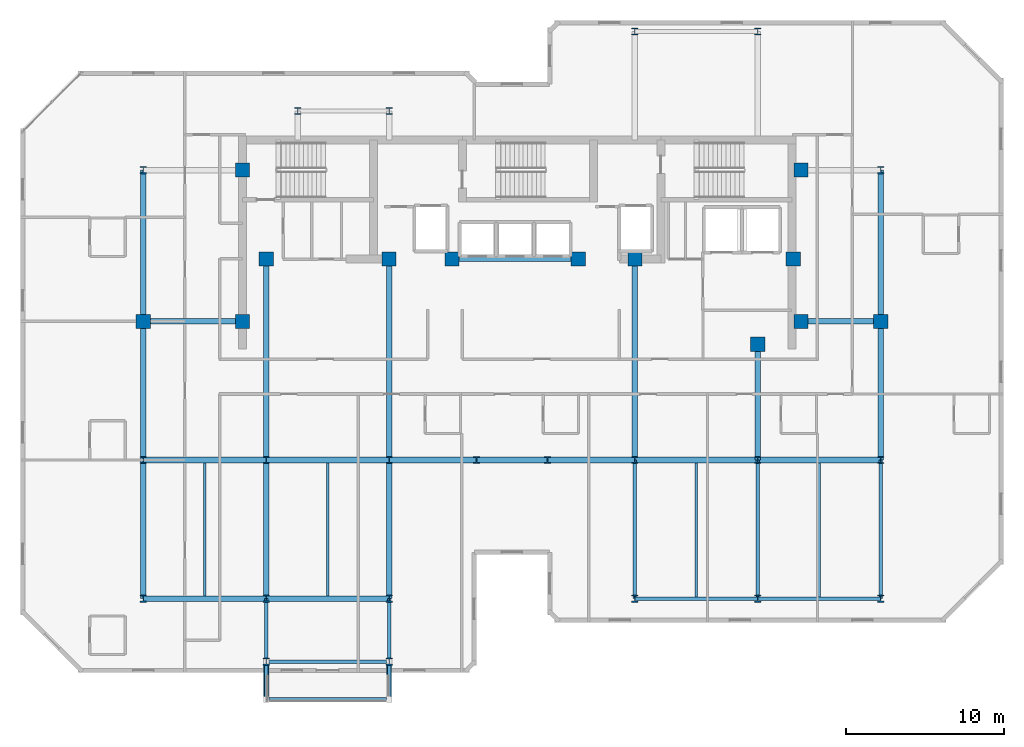
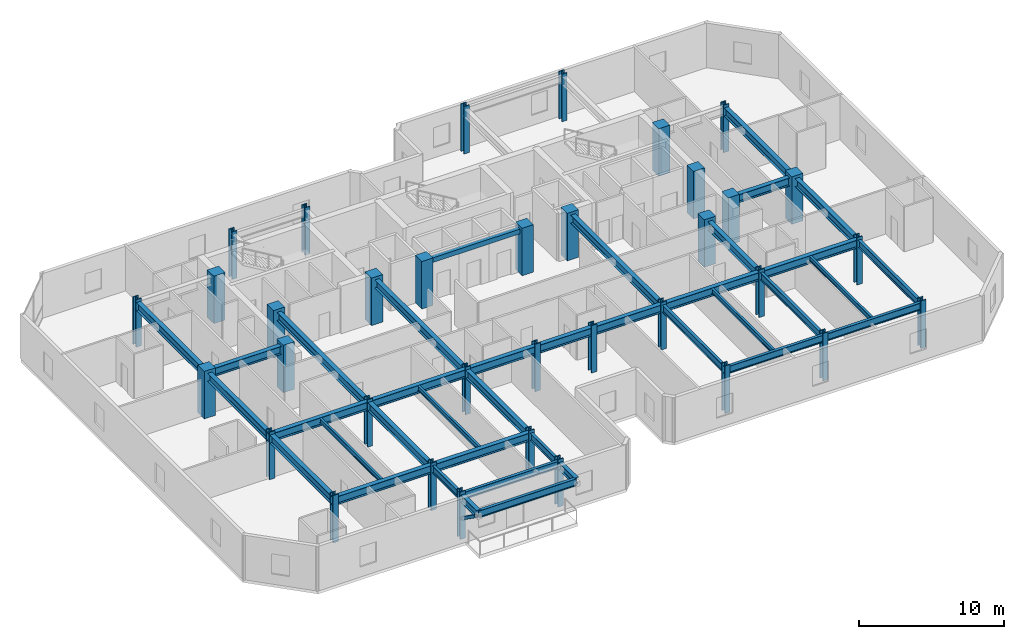
# One storey, part 1 of 10: 38 beams, 35 columns, 2 members.
"""IFC4 building model written with IfcOpenShell, lengths in metres."""

from ifc_helpers import new_model, si_unit, direction, frame, origin, origin_2d, place, context, subcontext, project, spatial, rectangle, hollow_rectangle, i_section, extrude, material, material_profile, profile_set, type_object, element, save


model = new_model("IFC4")

# Units and contexts
model_context = context("Model", 3, precision=1e-05, world=origin(), true_north=direction((0.0, 1.0)))
body_context = subcontext(model_context, "Body", "Model", "MODEL_VIEW")
ifc_project = project(units=[si_unit("LENGTHUNIT", "METRE"), si_unit("AREAUNIT", "SQUARE_METRE"), si_unit("VOLUMEUNIT", "CUBIC_METRE"), si_unit("PLANEANGLEUNIT", "RADIAN"), si_unit("MASSUNIT", "GRAM", prefix="KILO")], contexts=[model_context])

# Site, building, storey
site_placement = place(None, origin())
site = spatial("IfcSite", under=ifc_project, at=site_placement, CompositionType="ELEMENT")
building_placement = place(site_placement, origin())
building = spatial("IfcBuilding", under=site, at=building_placement, Name="Kestravale Grand Hotel", CompositionType="ELEMENT")
storey_placement = place(building_placement, frame((0.0, 0.0, 273.39990234375)))
storey = spatial("IfcBuildingStorey", under=building, at=storey_placement, Name="L68", CompositionType="ELEMENT", Elevation=273.39990234375)

# Columns
ifc_material_1 = material(Name="Concrete f'c 50 MPa", Category="concrete")
ifc_material_profile_1 = material_profile(ifc_material_1, rectangle(XDim=0.89990234375, YDim=0.89990234375, at=origin_2d()))
ifc_profile_set_1 = profile_set([ifc_material_profile_1], Name="Concrete f'c 50 MPa")
column_type_1 = type_object("IfcColumnType", Name="C-Z4-900", PredefinedType="COLUMN", material=ifc_profile_set_1)
for number, where, z_axis, x_axis, name in (
    (1, (15.60009765625, 28.800048828125, 0.0), (0.0, 0.0, 1.0), (1.0, 0.0, 0.0), "L68 column 3-E"),
    (2, (62.39990234375, 28.800048828125, 0.0), (0.0, 0.0, 1.0), (1.0, 0.0, 0.0), "L68 column 10-E"),
    (3, (21.89990234375, 28.800048828125, 0.0), (0.0, 0.0, 1.0), (1.0, 0.0, 0.0), "L68 column CW-E"),
    (4, (21.89990234375, 38.39990234375, 0.0), (0.0, 0.0, 1.0), (1.0, 0.0, 0.0), "L68 column CW-F"),
    (5, (57.35009765625, 28.800048828125, 0.0), (0.0, 0.0, 1.0), (1.0, 0.0, 0.0), "L68 column CE-E"),
    (6, (57.35009765625, 38.39990234375, 0.0), (0.0, 0.0, 1.0), (1.0, 0.0, 0.0), "L68 column CE-F"),
    (7, (23.39990234375, 32.75, 0.0), (0.0, 0.0, 1.0), (1.0, 0.0, 0.0), "L68 column 4-CS"),
    (8, (31.199951171875, 32.75, 0.0), (0.0, 0.0, 1.0), (1.0, 0.0, 0.0), "L68 column 5-CS"),
    (9, (35.199951171875, 32.75, 0.0), (0.0, 0.0, 1.0), (1.0, 0.0, 0.0), "L68 column 6C-CS"),
    (10, (43.199951171875, 32.75, 0.0), (0.0, 0.0, 1.0), (1.0, 0.0, 0.0), "L68 column 7C-CS"),
    (11, (46.800048828125, 32.75, 0.0), (0.0, 0.0, 1.0), (1.0, 0.0, 0.0), "L68 column 8-CS"),
    (12, (54.60009765625, 27.35009765625, 0.0), (0.0, 0.0, 1.0), (1.0, 0.0, 0.0), "L68 column 9-CS"),
    (13, (56.85009765625, 32.75, 0.0), (0.0, 0.0, 1.0), (1.0, 0.0, 0.0), "L68 column 9C-CS"),
):
    element("IfcColumn", number, at=place(storey_placement, frame(where, z_axis=z_axis, x_axis=x_axis)), inside=storey, type_object=column_type_1, Name=name, PredefinedType="COLUMN", context=body_context, shape_type="SweptSolid", body=[
        extrude(rectangle(XDim=0.89990234375, YDim=0.89990234375, at=origin_2d()), origin(), (0.0, 0.0, 1.0), 4.0),
    ])
ifc_material_2 = material(Name="Steel ASTM A992 Grade 50", Category="steel")
ifc_material_profile_2 = material_profile(ifc_material_2, i_section(OverallWidth=0.422119140625, OverallDepth=0.465087890625, WebThickness=0.044921875, FlangeThickness=0.072509765625, FilletRadius=0.0166015625, at=origin_2d()))
ifc_profile_set_2 = profile_set([ifc_material_profile_2], Name="Steel ASTM A992 Grade 50")
column_type_2 = type_object("IfcColumnType", Name="C-Z4-W14X398", PredefinedType="COLUMN", material=ifc_profile_set_2)
for number, where, z_axis, x_axis, name in (
    (14, (15.60009765625, 11.199951171875, 0.0), (0.0, 0.0, 1.0), (1.0, 0.0, 0.0), "L68 column 3-C"),
    (15, (15.60009765625, 20.0, 0.0), (0.0, 0.0, 1.0), (1.0, 0.0, 0.0), "L68 column 3-D"),
    (16, (15.60009765625, 38.39990234375, 0.0), (0.0, 0.0, 1.0), (1.0, 0.0, 0.0), "L68 column 3-F"),
    (17, (23.39990234375, 11.199951171875, 0.0), (0.0, 0.0, 1.0), (1.0, 0.0, 0.0), "L68 column 4-C"),
    (18, (23.39990234375, 20.0, 0.0), (0.0, 0.0, 1.0), (1.0, 0.0, 0.0), "L68 column 4-D"),
    (19, (31.199951171875, 11.199951171875, 0.0), (0.0, 0.0, 1.0), (1.0, 0.0, 0.0), "L68 column 5-C"),
    (20, (31.199951171875, 20.0, 0.0), (0.0, 0.0, 1.0), (1.0, 0.0, 0.0), "L68 column 5-D"),
    (21, (36.75, 20.0, 0.0), (0.0, 0.0, 1.0), (1.0, 0.0, 0.0), "L68 column 6-D"),
    (22, (41.25, 20.0, 0.0), (0.0, 0.0, 1.0), (1.0, 0.0, 0.0), "L68 column 7-D"),
    (23, (46.800048828125, 11.199951171875, 0.0), (0.0, 0.0, 1.0), (1.0, 0.0, 0.0), "L68 column 8-C"),
    (24, (46.800048828125, 20.0, 0.0), (0.0, 0.0, 1.0), (1.0, 0.0, 0.0), "L68 column 8-D"),
    (25, (46.800048828125, 47.199951171875, 0.0), (0.0, 0.0, 1.0), (1.0, 0.0, 0.0), "L68 column 8-G"),
    (26, (54.60009765625, 11.199951171875, 0.0), (0.0, 0.0, 1.0), (1.0, 0.0, 0.0), "L68 column 9-C"),
    (27, (54.60009765625, 20.0, 0.0), (0.0, 0.0, 1.0), (1.0, 0.0, 0.0), "L68 column 9-D"),
    (28, (54.60009765625, 47.199951171875, 0.0), (0.0, 0.0, 1.0), (1.0, 0.0, 0.0), "L68 column 9-G"),
    (29, (62.39990234375, 11.199951171875, 0.0), (0.0, 0.0, 1.0), (1.0, 0.0, 0.0), "L68 column 10-C"),
    (30, (62.39990234375, 20.0, 0.0), (0.0, 0.0, 1.0), (1.0, 0.0, 0.0), "L68 column 10-D"),
    (31, (62.39990234375, 38.39990234375, 0.0), (0.0, 0.0, 1.0), (1.0, 0.0, 0.0), "L68 column 10-F"),
    (32, (23.39990234375, 7.199951171875, 0.0), (0.0, 0.0, 1.0), (1.0, 0.0, 0.0), "L68 column 4-BS"),
    (33, (31.199951171875, 7.199951171875, 0.0), (0.0, 0.0, 1.0), (1.0, 0.0, 0.0), "L68 column 5-BS"),
    (34, (25.39990234375, 42.14990234375, 0.0), (0.0, 0.0, 1.0), (1.0, 0.0, 0.0), "L68 column 4-FN"),
    (35, (31.199951171875, 42.14990234375, 0.0), (0.0, 0.0, 1.0), (1.0, 0.0, 0.0), "L68 column 5-FN"),
):
    element("IfcColumn", number, at=place(storey_placement, frame(where, z_axis=z_axis, x_axis=x_axis)), inside=storey, type_object=column_type_2, Name=name, PredefinedType="COLUMN", context=body_context, shape_type="SweptSolid", body=[
        extrude(i_section(OverallWidth=0.422119140625, OverallDepth=0.465087890625, WebThickness=0.044921875, FlangeThickness=0.072509765625, FilletRadius=0.0166015625, at=origin_2d()), origin(), (0.0, 0.0, 1.0), 4.0),
    ])

# Beams
ifc_material_3 = material(Name="Steel ASTM A992 Grade 50", Category="steel")
ifc_material_profile_3 = material_profile(ifc_material_3, i_section(OverallWidth=0.177978515625, OverallDepth=0.404052734375, WebThickness=0.007568359375, FlangeThickness=0.010986328125, FilletRadius=0.01416015625, at=origin_2d()))
ifc_profile_set_3 = profile_set([ifc_material_profile_3], Name="Steel ASTM A992 Grade 50")
beam_type_1 = type_object("IfcBeamType", Name="B-FLR-JST16", PredefinedType="JOIST", material=ifc_profile_set_3)
for number, where, z_axis, x_axis, name in (
    (36, (19.5, 11.3779296875, 3.55810546875), (0.0, 1.0, 0.0), (-1.0, 0.0, 0.0), "L68 floor joist 3-4/C-D #1"),
    (37, (27.300048828125, 11.3779296875, 3.55810546875), (0.0, 1.0, 0.0), (-1.0, 0.0, 0.0), "L68 floor joist 4-5/C-D #1"),
):
    element("IfcBeam", number, at=place(storey_placement, frame(where, z_axis=z_axis, x_axis=x_axis)), inside=storey, type_object=beam_type_1, Name=name, PredefinedType="JOIST", context=body_context, shape_type="SweptSolid", body=[
        extrude(i_section(OverallWidth=0.177978515625, OverallDepth=0.404052734375, WebThickness=0.007568359375, FlangeThickness=0.010986328125, FilletRadius=0.01416015625, at=origin_2d()), origin(), (0.0, 0.0, 1.0), 8.444091796875),
    ])
for number, where, z_axis, x_axis, name in (
    (38, (50.699951171875, 11.314453125, 3.55810546875), (0.0, 1.0, 0.0), (-1.0, 0.0, 0.0), "L68 floor joist 8-9/C-D #1"),
    (39, (58.5, 11.314453125, 3.55810546875), (0.0, 1.0, 0.0), (-1.0, 0.0, 0.0), "L68 floor joist 9-10/C-D #1"),
):
    element("IfcBeam", number, at=place(storey_placement, frame(where, z_axis=z_axis, x_axis=x_axis)), inside=storey, type_object=beam_type_1, Name=name, PredefinedType="JOIST", context=body_context, shape_type="SweptSolid", body=[
        extrude(i_section(OverallWidth=0.177978515625, OverallDepth=0.404052734375, WebThickness=0.007568359375, FlangeThickness=0.010986328125, FilletRadius=0.01416015625, at=origin_2d()), origin(), (0.0, 0.0, 1.0), 8.507568359375),
    ])
ifc_material_4 = material(Name="Concrete f'c 45 MPa", Category="concrete")
ifc_material_profile_4 = material_profile(ifc_material_4, rectangle(XDim=0.300048828125, YDim=0.39990234375, at=origin_2d()))
ifc_profile_set_4 = profile_set([ifc_material_profile_4], Name="Concrete f'c 45 MPa")
beam_type_2 = type_object("IfcBeamType", Name="B-FLR-LNT400", PredefinedType="LINTEL", material=ifc_profile_set_4)
beam_1_placement = place(storey_placement, frame((35.199951171875, 32.75, 3.56005859375), z_axis=(1.0, 0.0, 0.0), x_axis=(0.0, 1.0, 0.0)))
element("IfcBeam", 40, at=beam_1_placement, inside=storey, type_object=beam_type_2, Name="L68 core portal header lintel", PredefinedType="LINTEL", context=body_context, shape_type="SweptSolid", body=[
    extrude(rectangle(XDim=0.300048828125, YDim=0.39990234375, at=origin_2d()), origin(), (0.0, 0.0, 1.0), 8.0),
])
ifc_material_5 = material(Name="Steel ASTM A992 Grade 50", Category="steel")
ifc_material_profile_5 = material_profile(ifc_material_5, i_section(OverallWidth=0.324951171875, OverallDepth=0.612060546875, WebThickness=0.0126953125, FlangeThickness=0.01904296875, FilletRadius=0.018798828125, at=origin_2d()))
ifc_profile_set_5 = profile_set([ifc_material_profile_5], Name="Steel ASTM A992 Grade 50")
beam_type_3 = type_object("IfcBeamType", Name="B-FLR-W24A", PredefinedType="SPANDREL", material=ifc_profile_set_5)
for number, where, z_axis, x_axis, name in (
    (41, (23.39990234375, 7.199951171875, 3.424072265625), (0.0, -1.0, 0.0), (1.0, 0.0, 0.0), "L69 terrace cantilever beam 1"),
    (42, (31.199951171875, 7.199951171875, 3.424072265625), (0.0, -1.0, 0.0), (1.0, 0.0, 0.0), "L69 terrace cantilever beam 2"),
):
    element("IfcBeam", number, at=place(storey_placement, frame(where, z_axis=z_axis, x_axis=x_axis)), inside=storey, type_object=beam_type_3, Name=name, PredefinedType="SPANDREL", context=body_context, shape_type="SweptSolid", body=[
        extrude(i_section(OverallWidth=0.324951171875, OverallDepth=0.612060546875, WebThickness=0.0126953125, FlangeThickness=0.01904296875, FilletRadius=0.018798828125, at=origin_2d()), origin(), (0.0, 0.0, 1.0), 2.39990234375),
    ])
ifc_material_6 = material(Name="Steel ASTM A992 Grade 50", Category="steel")
ifc_material_profile_6 = material_profile(ifc_material_6, i_section(OverallWidth=0.22900390625, OverallDepth=0.612060546875, WebThickness=0.011962890625, FlangeThickness=0.01953125, FilletRadius=0.019287109375, at=origin_2d()))
ifc_profile_set_6 = profile_set([ifc_material_profile_6], Name="Steel ASTM A992 Grade 50")
beam_type_4 = type_object("IfcBeamType", Name="B-FLR-W24B", PredefinedType="SPANDREL", material=ifc_profile_set_6)
beam_2_placement = place(storey_placement, frame((46.800048828125, 11.199951171875, 3.4541015625), z_axis=(1.0, 0.0, 0.0), x_axis=(0.0, 1.0, 0.0)))
element("IfcBeam", 43, at=beam_2_placement, inside=storey, type_object=beam_type_4, Name="L68 spandrel C:8-9", PredefinedType="SPANDREL", context=body_context, shape_type="SweptSolid", body=[
    extrude(i_section(OverallWidth=0.22900390625, OverallDepth=0.612060546875, WebThickness=0.011962890625, FlangeThickness=0.01953125, FilletRadius=0.019287109375, at=origin_2d()), origin(), (0.0, 0.0, 1.0), 7.800048828125),
])
beam_3_placement = place(storey_placement, frame((54.60009765625, 11.199951171875, 3.4541015625), z_axis=(1.0, 0.0, 0.0), x_axis=(0.0, 1.0, 0.0)))
element("IfcBeam", 44, at=beam_3_placement, inside=storey, type_object=beam_type_4, Name="L68 spandrel C:9-10", PredefinedType="SPANDREL", context=body_context, shape_type="SweptSolid", body=[
    extrude(i_section(OverallWidth=0.22900390625, OverallDepth=0.612060546875, WebThickness=0.011962890625, FlangeThickness=0.01953125, FilletRadius=0.019287109375, at=origin_2d()), origin(), (0.0, 0.0, 1.0), 7.7998046875),
])
beam_4_placement = place(storey_placement, frame((23.39990234375, 7.199951171875, 3.4541015625), z_axis=(1.0, 0.0, 0.0), x_axis=(0.0, 1.0, 0.0)))
element("IfcBeam", 45, at=beam_4_placement, inside=storey, type_object=beam_type_4, Name="L68 perimeter tie spandrel BS:4-5", PredefinedType="SPANDREL", context=body_context, shape_type="SweptSolid", body=[
    extrude(i_section(OverallWidth=0.22900390625, OverallDepth=0.612060546875, WebThickness=0.011962890625, FlangeThickness=0.01953125, FilletRadius=0.019287109375, at=origin_2d()), origin(), (0.0, 0.0, 1.0), 7.800048828125),
])
for number, where, z_axis, x_axis, name in (
    (46, (23.39990234375, 7.199951171875, 3.4541015625), (0.0, 1.0, 0.0), (-1.0, 0.0, 0.0), "L68 spandrel 4:BS-C"),
    (47, (31.199951171875, 7.199951171875, 3.4541015625), (0.0, 1.0, 0.0), (-1.0, 0.0, 0.0), "L68 spandrel 5:BS-C"),
):
    element("IfcBeam", number, at=place(storey_placement, frame(where, z_axis=z_axis, x_axis=x_axis)), inside=storey, type_object=beam_type_4, Name=name, PredefinedType="SPANDREL", context=body_context, shape_type="SweptSolid", body=[
        extrude(i_section(OverallWidth=0.22900390625, OverallDepth=0.612060546875, WebThickness=0.011962890625, FlangeThickness=0.01953125, FilletRadius=0.019287109375, at=origin_2d()), origin(), (0.0, 0.0, 1.0), 4.0),
    ])
for number, where, z_axis, x_axis, name in (
    (48, (46.800048828125, 11.199951171875, 3.4541015625), (0.0, 1.0, 0.0), (-1.0, 0.0, 0.0), "L68 spandrel 8:C-D"),
    (49, (54.60009765625, 11.199951171875, 3.4541015625), (0.0, 1.0, 0.0), (-1.0, 0.0, 0.0), "L68 spandrel 9:C-D"),
    (50, (62.39990234375, 11.199951171875, 3.4541015625), (0.0, 1.0, 0.0), (-1.0, 0.0, 0.0), "L68 spandrel 10:C-D"),
):
    element("IfcBeam", number, at=place(storey_placement, frame(where, z_axis=z_axis, x_axis=x_axis)), inside=storey, type_object=beam_type_4, Name=name, PredefinedType="SPANDREL", context=body_context, shape_type="SweptSolid", body=[
        extrude(i_section(OverallWidth=0.22900390625, OverallDepth=0.612060546875, WebThickness=0.011962890625, FlangeThickness=0.01953125, FilletRadius=0.019287109375, at=origin_2d()), origin(), (0.0, 0.0, 1.0), 8.800048828125),
    ])
beam_5_placement = place(storey_placement, frame((23.39990234375, 4.800048828125, 3.424072265625), z_axis=(1.0, 0.0, 0.0), x_axis=(0.0, 1.0, 0.0)))
element("IfcBeam", 51, at=beam_5_placement, inside=storey, type_object=beam_type_4, Name="L69 terrace edge spandrel", PredefinedType="SPANDREL", context=body_context, shape_type="SweptSolid", body=[
    extrude(i_section(OverallWidth=0.22900390625, OverallDepth=0.612060546875, WebThickness=0.011962890625, FlangeThickness=0.01953125, FilletRadius=0.019287109375, at=origin_2d()), origin(), (0.0, 0.0, 1.0), 7.800048828125),
])
ifc_material_7 = material(Name="Steel ASTM A992 Grade 50", Category="steel")
ifc_material_profile_7 = material_profile(ifc_material_7, i_section(OverallWidth=0.35595703125, OverallDepth=0.696044921875, WebThickness=0.015380859375, FlangeThickness=0.02490234375, FilletRadius=0.021240234375, at=origin_2d()))
ifc_profile_set_7 = profile_set([ifc_material_profile_7], Name="Steel ASTM A992 Grade 50")
beam_type_5 = type_object("IfcBeamType", Name="B-GRD-W27", PredefinedType="BEAM", material=ifc_profile_set_7)
beam_6_placement = place(storey_placement, frame((15.60009765625, 11.199951171875, 3.412109375), z_axis=(1.0, 0.0, 0.0), x_axis=(0.0, 1.0, 0.0)))
element("IfcBeam", 52, at=beam_6_placement, inside=storey, type_object=beam_type_5, Name="L68 girder C:3-4", PredefinedType="BEAM", context=body_context, shape_type="SweptSolid", body=[
    extrude(i_section(OverallWidth=0.35595703125, OverallDepth=0.696044921875, WebThickness=0.015380859375, FlangeThickness=0.02490234375, FilletRadius=0.021240234375, at=origin_2d()), origin(), (0.0, 0.0, 1.0), 7.7998046875),
])
beam_7_placement = place(storey_placement, frame((23.39990234375, 11.199951171875, 3.412109375), z_axis=(1.0, 0.0, 0.0), x_axis=(0.0, 1.0, 0.0)))
element("IfcBeam", 53, at=beam_7_placement, inside=storey, type_object=beam_type_5, Name="L68 girder C:4-5", PredefinedType="BEAM", context=body_context, shape_type="SweptSolid", body=[
    extrude(i_section(OverallWidth=0.35595703125, OverallDepth=0.696044921875, WebThickness=0.015380859375, FlangeThickness=0.02490234375, FilletRadius=0.021240234375, at=origin_2d()), origin(), (0.0, 0.0, 1.0), 7.800048828125),
])
beam_8_placement = place(storey_placement, frame((15.60009765625, 20.0, 3.412109375), z_axis=(1.0, 0.0, 0.0), x_axis=(0.0, 1.0, 0.0)))
element("IfcBeam", 54, at=beam_8_placement, inside=storey, type_object=beam_type_5, Name="L68 girder D:3-4", PredefinedType="BEAM", context=body_context, shape_type="SweptSolid", body=[
    extrude(i_section(OverallWidth=0.35595703125, OverallDepth=0.696044921875, WebThickness=0.015380859375, FlangeThickness=0.02490234375, FilletRadius=0.021240234375, at=origin_2d()), origin(), (0.0, 0.0, 1.0), 7.7998046875),
])
beam_9_placement = place(storey_placement, frame((23.39990234375, 20.0, 3.412109375), z_axis=(1.0, 0.0, 0.0), x_axis=(0.0, 1.0, 0.0)))
element("IfcBeam", 55, at=beam_9_placement, inside=storey, type_object=beam_type_5, Name="L68 girder D:4-5", PredefinedType="BEAM", context=body_context, shape_type="SweptSolid", body=[
    extrude(i_section(OverallWidth=0.35595703125, OverallDepth=0.696044921875, WebThickness=0.015380859375, FlangeThickness=0.02490234375, FilletRadius=0.021240234375, at=origin_2d()), origin(), (0.0, 0.0, 1.0), 7.800048828125),
])
beam_10_placement = place(storey_placement, frame((31.199951171875, 20.0, 3.412109375), z_axis=(1.0, 0.0, 0.0), x_axis=(0.0, 1.0, 0.0)))
element("IfcBeam", 56, at=beam_10_placement, inside=storey, type_object=beam_type_5, Name="L68 girder D:5-6", PredefinedType="BEAM", context=body_context, shape_type="SweptSolid", body=[
    extrude(i_section(OverallWidth=0.35595703125, OverallDepth=0.696044921875, WebThickness=0.015380859375, FlangeThickness=0.02490234375, FilletRadius=0.021240234375, at=origin_2d()), origin(), (0.0, 0.0, 1.0), 5.550048828125),
])
beam_11_placement = place(storey_placement, frame((36.75, 20.0, 3.412109375), z_axis=(1.0, 0.0, 0.0), x_axis=(0.0, 1.0, 0.0)))
element("IfcBeam", 57, at=beam_11_placement, inside=storey, type_object=beam_type_5, Name="L68 girder D:6-7", PredefinedType="BEAM", context=body_context, shape_type="SweptSolid", body=[
    extrude(i_section(OverallWidth=0.35595703125, OverallDepth=0.696044921875, WebThickness=0.015380859375, FlangeThickness=0.02490234375, FilletRadius=0.021240234375, at=origin_2d()), origin(), (0.0, 0.0, 1.0), 4.5),
])
beam_12_placement = place(storey_placement, frame((41.25, 20.0, 3.412109375), z_axis=(1.0, 0.0, 0.0), x_axis=(0.0, 1.0, 0.0)))
element("IfcBeam", 58, at=beam_12_placement, inside=storey, type_object=beam_type_5, Name="L68 girder D:7-8", PredefinedType="BEAM", context=body_context, shape_type="SweptSolid", body=[
    extrude(i_section(OverallWidth=0.35595703125, OverallDepth=0.696044921875, WebThickness=0.015380859375, FlangeThickness=0.02490234375, FilletRadius=0.021240234375, at=origin_2d()), origin(), (0.0, 0.0, 1.0), 5.550048828125),
])
beam_13_placement = place(storey_placement, frame((46.800048828125, 20.0, 3.412109375), z_axis=(1.0, 0.0, 0.0), x_axis=(0.0, 1.0, 0.0)))
element("IfcBeam", 59, at=beam_13_placement, inside=storey, type_object=beam_type_5, Name="L68 girder D:8-9", PredefinedType="BEAM", context=body_context, shape_type="SweptSolid", body=[
    extrude(i_section(OverallWidth=0.35595703125, OverallDepth=0.696044921875, WebThickness=0.015380859375, FlangeThickness=0.02490234375, FilletRadius=0.021240234375, at=origin_2d()), origin(), (0.0, 0.0, 1.0), 7.800048828125),
])
beam_14_placement = place(storey_placement, frame((54.60009765625, 20.0, 3.412109375), z_axis=(1.0, 0.0, 0.0), x_axis=(0.0, 1.0, 0.0)))
element("IfcBeam", 60, at=beam_14_placement, inside=storey, type_object=beam_type_5, Name="L68 girder D:9-10", PredefinedType="BEAM", context=body_context, shape_type="SweptSolid", body=[
    extrude(i_section(OverallWidth=0.35595703125, OverallDepth=0.696044921875, WebThickness=0.015380859375, FlangeThickness=0.02490234375, FilletRadius=0.021240234375, at=origin_2d()), origin(), (0.0, 0.0, 1.0), 7.7998046875),
])
beam_15_placement = place(storey_placement, frame((15.60009765625, 28.800048828125, 3.412109375), z_axis=(1.0, 0.0, 0.0), x_axis=(0.0, 1.0, 0.0)))
element("IfcBeam", 61, at=beam_15_placement, inside=storey, type_object=beam_type_5, Name="L68 girder E:3-CW", PredefinedType="BEAM", context=body_context, shape_type="SweptSolid", body=[
    extrude(i_section(OverallWidth=0.35595703125, OverallDepth=0.696044921875, WebThickness=0.015380859375, FlangeThickness=0.02490234375, FilletRadius=0.021240234375, at=origin_2d()), origin(), (0.0, 0.0, 1.0), 6.2998046875),
])
beam_16_placement = place(storey_placement, frame((57.35009765625, 28.800048828125, 3.412109375), z_axis=(1.0, 0.0, 0.0), x_axis=(0.0, 1.0, 0.0)))
element("IfcBeam", 62, at=beam_16_placement, inside=storey, type_object=beam_type_5, Name="L68 girder E:CE-10", PredefinedType="BEAM", context=body_context, shape_type="SweptSolid", body=[
    extrude(i_section(OverallWidth=0.35595703125, OverallDepth=0.696044921875, WebThickness=0.015380859375, FlangeThickness=0.02490234375, FilletRadius=0.021240234375, at=origin_2d()), origin(), (0.0, 0.0, 1.0), 5.0498046875),
])
for number, where, z_axis, x_axis, name in (
    (63, (15.60009765625, 11.199951171875, 3.412109375), (0.0, 1.0, 0.0), (-1.0, 0.0, 0.0), "L68 girder 3:C-D"),
    (64, (15.60009765625, 20.0, 3.412109375), (0.0, 1.0, 0.0), (-1.0, 0.0, 0.0), "L68 girder 3:D-E"),
):
    element("IfcBeam", number, at=place(storey_placement, frame(where, z_axis=z_axis, x_axis=x_axis)), inside=storey, type_object=beam_type_5, Name=name, PredefinedType="BEAM", context=body_context, shape_type="SweptSolid", body=[
        extrude(i_section(OverallWidth=0.35595703125, OverallDepth=0.696044921875, WebThickness=0.015380859375, FlangeThickness=0.02490234375, FilletRadius=0.021240234375, at=origin_2d()), origin(), (0.0, 0.0, 1.0), 8.800048828125),
    ])
beam_17_placement = place(storey_placement, frame((15.60009765625, 28.800048828125, 3.412109375), z_axis=(0.0, 1.0, 0.0), x_axis=(-1.0, 0.0, 0.0)))
element("IfcBeam", 65, at=beam_17_placement, inside=storey, type_object=beam_type_5, Name="L68 girder 3:E-F", PredefinedType="BEAM", context=body_context, shape_type="SweptSolid", body=[
    extrude(i_section(OverallWidth=0.35595703125, OverallDepth=0.696044921875, WebThickness=0.015380859375, FlangeThickness=0.02490234375, FilletRadius=0.021240234375, at=origin_2d()), origin(), (0.0, 0.0, 1.0), 9.599853515625),
])
beam_18_placement = place(storey_placement, frame((23.39990234375, 11.199951171875, 3.412109375), z_axis=(0.0, 1.0, 0.0), x_axis=(-1.0, 0.0, 0.0)))
element("IfcBeam", 66, at=beam_18_placement, inside=storey, type_object=beam_type_5, Name="L68 girder 4:C-D", PredefinedType="BEAM", context=body_context, shape_type="SweptSolid", body=[
    extrude(i_section(OverallWidth=0.35595703125, OverallDepth=0.696044921875, WebThickness=0.015380859375, FlangeThickness=0.02490234375, FilletRadius=0.021240234375, at=origin_2d()), origin(), (0.0, 0.0, 1.0), 8.800048828125),
])
beam_19_placement = place(storey_placement, frame((23.39990234375, 20.0, 3.412109375), z_axis=(0.0, 1.0, 0.0), x_axis=(-1.0, 0.0, 0.0)))
element("IfcBeam", 67, at=beam_19_placement, inside=storey, type_object=beam_type_5, Name="L68 girder 4:D-CS", PredefinedType="BEAM", context=body_context, shape_type="SweptSolid", body=[
    extrude(i_section(OverallWidth=0.35595703125, OverallDepth=0.696044921875, WebThickness=0.015380859375, FlangeThickness=0.02490234375, FilletRadius=0.021240234375, at=origin_2d()), origin(), (0.0, 0.0, 1.0), 12.75),
])
beam_20_placement = place(storey_placement, frame((31.199951171875, 11.199951171875, 3.412109375), z_axis=(0.0, 1.0, 0.0), x_axis=(-1.0, 0.0, 0.0)))
element("IfcBeam", 68, at=beam_20_placement, inside=storey, type_object=beam_type_5, Name="L68 girder 5:C-D", PredefinedType="BEAM", context=body_context, shape_type="SweptSolid", body=[
    extrude(i_section(OverallWidth=0.35595703125, OverallDepth=0.696044921875, WebThickness=0.015380859375, FlangeThickness=0.02490234375, FilletRadius=0.021240234375, at=origin_2d()), origin(), (0.0, 0.0, 1.0), 8.800048828125),
])
for number, where, z_axis, x_axis, name in (
    (69, (31.199951171875, 20.0, 3.412109375), (0.0, 1.0, 0.0), (-1.0, 0.0, 0.0), "L68 girder 5:D-CS"),
    (70, (46.800048828125, 20.0, 3.412109375), (0.0, 1.0, 0.0), (-1.0, 0.0, 0.0), "L68 girder 8:D-CS"),
):
    element("IfcBeam", number, at=place(storey_placement, frame(where, z_axis=z_axis, x_axis=x_axis)), inside=storey, type_object=beam_type_5, Name=name, PredefinedType="BEAM", context=body_context, shape_type="SweptSolid", body=[
        extrude(i_section(OverallWidth=0.35595703125, OverallDepth=0.696044921875, WebThickness=0.015380859375, FlangeThickness=0.02490234375, FilletRadius=0.021240234375, at=origin_2d()), origin(), (0.0, 0.0, 1.0), 12.75),
    ])
beam_21_placement = place(storey_placement, frame((54.60009765625, 20.0, 3.412109375), z_axis=(0.0, 1.0, 0.0), x_axis=(-1.0, 0.0, 0.0)))
element("IfcBeam", 71, at=beam_21_placement, inside=storey, type_object=beam_type_5, Name="L68 girder 9:D-CS", PredefinedType="BEAM", context=body_context, shape_type="SweptSolid", body=[
    extrude(i_section(OverallWidth=0.35595703125, OverallDepth=0.696044921875, WebThickness=0.015380859375, FlangeThickness=0.02490234375, FilletRadius=0.021240234375, at=origin_2d()), origin(), (0.0, 0.0, 1.0), 7.35009765625),
])
beam_22_placement = place(storey_placement, frame((62.39990234375, 20.0, 3.412109375), z_axis=(0.0, 1.0, 0.0), x_axis=(-1.0, 0.0, 0.0)))
element("IfcBeam", 72, at=beam_22_placement, inside=storey, type_object=beam_type_5, Name="L68 girder 10:D-E", PredefinedType="BEAM", context=body_context, shape_type="SweptSolid", body=[
    extrude(i_section(OverallWidth=0.35595703125, OverallDepth=0.696044921875, WebThickness=0.015380859375, FlangeThickness=0.02490234375, FilletRadius=0.021240234375, at=origin_2d()), origin(), (0.0, 0.0, 1.0), 8.800048828125),
])
beam_23_placement = place(storey_placement, frame((62.39990234375, 28.800048828125, 3.412109375), z_axis=(0.0, 1.0, 0.0), x_axis=(-1.0, 0.0, 0.0)))
element("IfcBeam", 73, at=beam_23_placement, inside=storey, type_object=beam_type_5, Name="L68 girder 10:E-F", PredefinedType="BEAM", context=body_context, shape_type="SweptSolid", body=[
    extrude(i_section(OverallWidth=0.35595703125, OverallDepth=0.696044921875, WebThickness=0.015380859375, FlangeThickness=0.02490234375, FilletRadius=0.021240234375, at=origin_2d()), origin(), (0.0, 0.0, 1.0), 9.599853515625),
])

# Members
ifc_material_8 = material(Name="Steel ASTM A500 Grade C", Category="steel")
ifc_material_profile_8 = material_profile(ifc_material_8, hollow_rectangle(XDim=0.25, YDim=0.25, WallThickness=0.011962890625, InnerFilletRadius=0.011962890625, OuterFilletRadius=0.02392578125, at=origin_2d()))
ifc_profile_set_8 = profile_set([ifc_material_profile_8], Name="Steel ASTM A500 Grade C")
member_type = type_object("IfcMemberType", Name="M-BLT-STR250", PredefinedType="STRUT", material=ifc_profile_set_8)
for number, where, z_axis, x_axis, name in (
    (74, (23.39990234375, 7.199951171875, 1.57421875), (0.0, -0.816021218136, 0.578021947292), (1.0, 0.0, 0.0), "L69 terrace knee-brace strut 1"),
    (75, (31.199951171875, 7.199951171875, 1.57421875), (0.0, -0.816021218136, 0.578021947292), (1.0, 0.0, 0.0), "L69 terrace knee-brace strut 2"),
):
    element("IfcMember", number, at=place(storey_placement, frame(where, z_axis=z_axis, x_axis=x_axis)), inside=storey, type_object=member_type, Name=name, PredefinedType="STRUT", context=body_context, shape_type="SweptSolid", body=[
        extrude(hollow_rectangle(XDim=0.25, YDim=0.25, WallThickness=0.011962890625, InnerFilletRadius=0.011962890625, OuterFilletRadius=0.02392578125, at=origin_2d()), origin(), (0.0, 0.0, 1.0), 2.94091796875),
    ])

save(model, "model.ifc")
